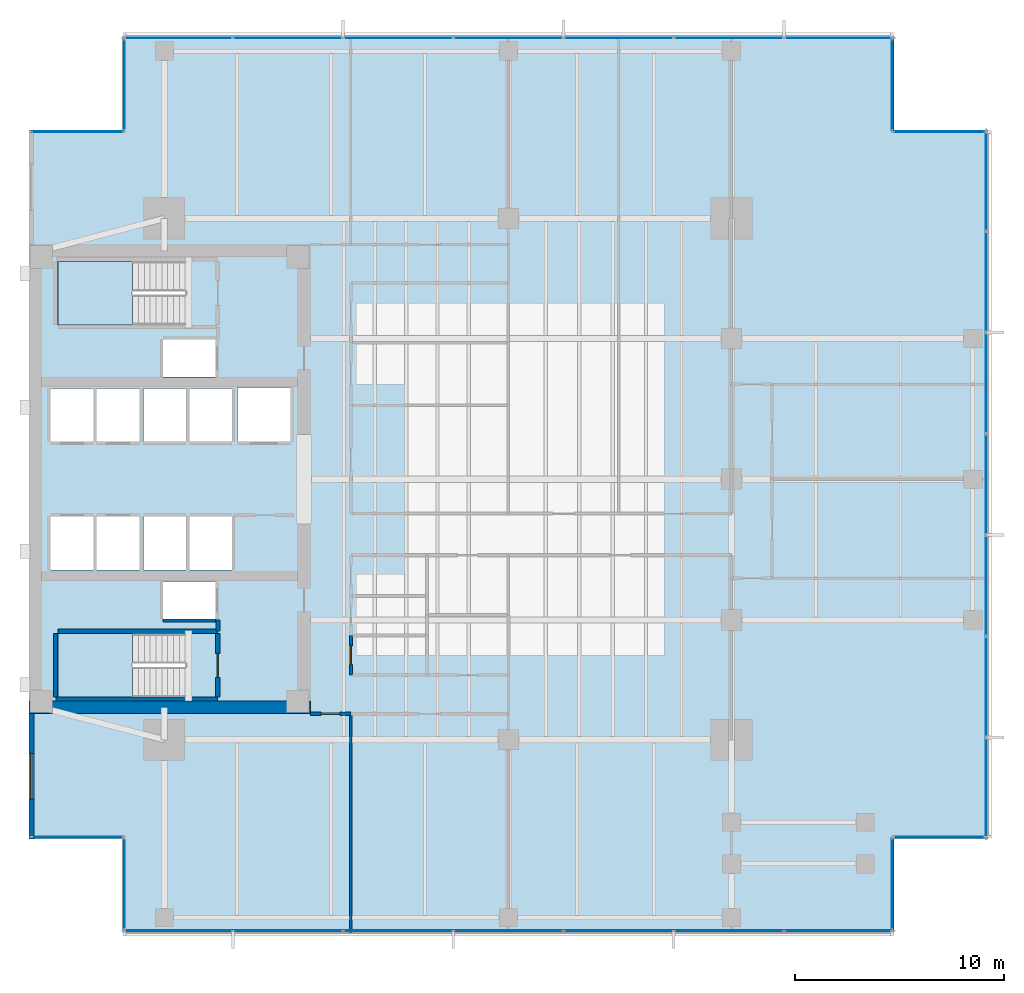
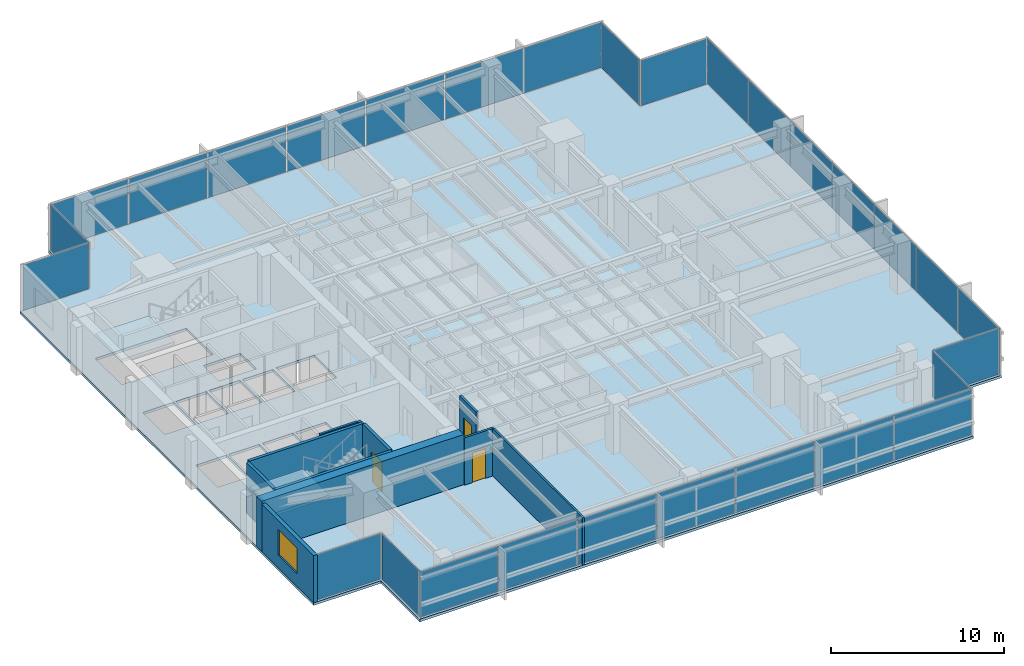
# One storey, part 8 of 15: 29 plates, 11 walls, 3 doors, 3 slabs, 1 window, 4 openings, 13 elements without a shape of their own.
"""IFC4 building model written with IfcOpenShell, lengths in metres."""

import ifcopenshell
import ifcopenshell.guid

model = None  # the IFC model being written
_history = None  # IfcOwnerHistory: only IFC2X3 demands one
_inside = {}  # id of a spatial element -> (the spatial element, [elements in it])
_under = {}  # id of a project, library or spatial element -> (it, [spatial elements below it])
_declared = {}  # id of a project -> (the project, [libraries it declares])
_typed = {}  # id of a type object -> (the type object, [elements of that type])
_made_of = {}  # id of a material, layer set ... -> (it, [elements and type objects made of it])


def new_model(schema):
    """Start an empty IFC model of exactly this schema.

    Asked for "IFC4X3", IfcOpenShell would pick the latest addendum, in which some entities
    have other attributes; the version numbers below select the first issue.
    IFC2X3 requires an IfcOwnerHistory on every rooted entity: one is made here for all.
    """
    global model, _history
    if schema == "IFC4X3":
        model = ifcopenshell.file(schema_version=(4, 3, 0, 0))
    else:
        model = ifcopenshell.file(schema=schema)
    _inside.clear()
    _under.clear()
    _declared.clear()
    _typed.clear()
    _made_of.clear()
    _history = None
    if model.schema == "IFC2X3":
        org = make("IfcOrganization", Name="unknown")
        user = make(
            "IfcPersonAndOrganization",
            ThePerson=make("IfcPerson", FamilyName="unknown"),
            TheOrganization=org,
        )
        app = make(
            "IfcApplication",
            ApplicationDeveloper=org,
            Version="unknown",
            ApplicationFullName="unknown",
            ApplicationIdentifier="unknown",
        )
        _history = make(
            "IfcOwnerHistory",
            OwningUser=user,
            OwningApplication=app,
            ChangeAction="ADDED",
            CreationDate=0,
        )
    return model


def make(cls, **values):
    """One entity of the class cls with the attributes given. An attribute that is None is left unset."""
    return model.create_entity(
        cls, **{name: value for name, value in values.items() if value is not None}
    )


def rooted(cls, **values):
    """An entity with a GlobalId (a new one), such as an element, a storey or a relation."""
    return make(cls, GlobalId=ifcopenshell.guid.new(), OwnerHistory=_history, **values)


def si_unit(unit_type, name, prefix=None):
    """IfcSIUnit, for example si_unit("LENGTHUNIT", "METRE", prefix="MILLI")."""
    return make("IfcSIUnit", UnitType=unit_type, Prefix=prefix, Name=name)


def assignment(units):
    """IfcUnitAssignment: the units of a project."""
    return None if units is None else make("IfcUnitAssignment", Units=units)


def point(xyz):
    """IfcCartesianPoint."""
    return None if xyz is None else make("IfcCartesianPoint", Coordinates=xyz)


def direction(xyz):
    """IfcDirection."""
    return None if xyz is None else make("IfcDirection", DirectionRatios=xyz)


def frame(location, z_axis=None, x_axis=None):
    """IfcAxis2Placement3D, a coordinate frame: its origin and axes. An axis left out is left unset."""
    return make(
        "IfcAxis2Placement3D",
        Location=point(location),
        Axis=direction(z_axis),
        RefDirection=direction(x_axis),
    )


def frame_2d(location, x_axis=None):
    """IfcAxis2Placement2D, a coordinate frame in the plane: its origin and x axis."""
    return make(
        "IfcAxis2Placement2D", Location=point(location), RefDirection=direction(x_axis)
    )


def origin():
    """The frame at (0, 0, 0) with its axes left unset."""
    return frame((0.0, 0.0, 0.0))


def origin_2d():
    """The frame at (0, 0) in the plane with its x axis left unset."""
    return frame_2d((0.0, 0.0))


def place(relative_to, where):
    """IfcLocalPlacement: puts the frame where relative to a parent placement (None: the world)."""
    return make(
        "IfcLocalPlacement", PlacementRelTo=relative_to, RelativePlacement=where
    )


def context(
    kind, dimensions, precision=None, world=None, true_north=None, identifier=None
):
    """IfcGeometricRepresentationContext, for example the 3D "Model" context."""
    return make(
        "IfcGeometricRepresentationContext",
        ContextIdentifier=identifier,
        ContextType=kind,
        CoordinateSpaceDimension=dimensions,
        Precision=precision,
        WorldCoordinateSystem=world,
        TrueNorth=true_north,
    )


def subcontext(parent, identifier, kind, view, scale=None):
    """IfcGeometricRepresentationSubContext, for example "Body" below "Model"."""
    return make(
        "IfcGeometricRepresentationSubContext",
        ContextIdentifier=identifier,
        ContextType=kind,
        ParentContext=parent,
        TargetScale=scale,
        TargetView=view,
    )


def project(units=None, contexts=None):
    """IfcProject with its units and contexts."""
    return rooted(
        "IfcProject",
        Name="project",
        RepresentationContexts=contexts,
        UnitsInContext=assignment(units),
    )


def spatial(cls, under=None, at=None, **own):
    """A site, building, storey or space (cls), placed at a placement, below another one or the project."""
    s = rooted(cls, ObjectPlacement=at, **own)
    if under is not None:
        _under.setdefault(under.id(), (under, []))[1].append(s)
    return s


def polyline(points):
    """IfcPolyline through the points."""
    return make("IfcPolyline", Points=[point(p) for p in points])


def profile(cls, at=None, kind="AREA", **sizes):
    """A parametric profile (cls). Its sizes go by their IFC names, for example OverallWidth=200.0."""
    return make(cls, ProfileType=kind, Position=at, **sizes)


def rectangle(**sizes):
    """IfcRectangleProfileDef."""
    return profile("IfcRectangleProfileDef", **sizes)


def outline(outer, holes=None, kind="AREA"):
    """IfcArbitraryClosedProfileDef: a profile drawn as a closed curve; with holes, ...WithVoids."""
    if holes is None:
        return make("IfcArbitraryClosedProfileDef", ProfileType=kind, OuterCurve=outer)
    return make(
        "IfcArbitraryProfileDefWithVoids",
        ProfileType=kind,
        OuterCurve=outer,
        InnerCurves=holes,
    )


def extrude(swept, where, along, depth):
    """IfcExtrudedAreaSolid: the profile swept, set in the frame where, extruded along a direction by depth."""
    return make(
        "IfcExtrudedAreaSolid",
        SweptArea=swept,
        Position=where,
        ExtrudedDirection=direction(along),
        Depth=depth,
    )


def shape(context_of_items, identifier, shape_type, items):
    """IfcShapeRepresentation: the items that make up one representation, for example the "Body"."""
    return make(
        "IfcShapeRepresentation",
        ContextOfItems=context_of_items,
        RepresentationIdentifier=identifier,
        RepresentationType=shape_type,
        Items=items,
    )


def material(Name=None, Category=None):
    """IfcMaterial."""
    return make("IfcMaterial", Name=Name, Category=Category)


def layer(
    of_material, thickness, ventilated=None, Name=None, Category=None, Priority=None
):
    """IfcMaterialLayer: one layer of a wall or slab, of a material (None: an air gap)."""
    return make(
        "IfcMaterialLayer",
        Material=of_material,
        LayerThickness=thickness,
        IsVentilated=ventilated,
        Name=Name,
        Category=Category,
        Priority=Priority,
    )


def layer_set(layers, Name=None):
    """IfcMaterialLayerSet."""
    return make("IfcMaterialLayerSet", MaterialLayers=layers, LayerSetName=Name)


def made_of(thing, what):
    """Note that an element or type object is made of a material, layer set ...; save() writes the relation."""
    if what is not None:
        _made_of.setdefault(what.id(), (what, []))[1].append(thing)
    return thing


def type_object(cls, material=None, **own):
    """A type object (cls), such as IfcWallType, which elements share."""
    return made_of(rooted(cls, **own), material)


def element(
    cls,
    number,
    at=None,
    inside=None,
    cuts=None,
    type_object=None,
    material=None,
    context=None,
    identifier="Body",
    shape_type=None,
    held_by="IfcProductDefinitionShape",
    body=None,
    shapes=None,
    **own,
):
    """One element of the class cls, such as IfcWall. Its Tag is "e" and its number.

    at: its placement. inside: the storey or other place that contains it. cuts: it is an
    opening in that element (IfcRelVoidsElement). A single representation is given by context,
    identifier, shape_type and body (its items); several are given by shapes. held_by: the class
    of the entity that holds the representations. save() writes the other relations.
    """
    e = rooted(cls, Tag="e%d" % number, ObjectPlacement=at, **own)
    if body is not None:
        shapes = [shape(context, identifier, shape_type, body)]
    if shapes is not None:
        e.Representation = make(held_by, Representations=shapes)
    if inside is not None:
        _inside.setdefault(inside.id(), (inside, []))[1].append(e)
    if cuts is not None:
        rooted(
            "IfcRelVoidsElement", RelatingBuildingElement=cuts, RelatedOpeningElement=e
        )
    if type_object is not None:
        _typed.setdefault(type_object.id(), (type_object, []))[1].append(e)
    return made_of(e, material)


def fill(opening, filler):
    """IfcRelFillsElement: the door or window that sits in an opening."""
    return rooted(
        "IfcRelFillsElement",
        RelatingOpeningElement=opening,
        RelatedBuildingElement=filler,
    )


def aggregate(whole, parts):
    """IfcRelAggregates: a whole, such as a stair, and the parts it consists of."""
    return rooted("IfcRelAggregates", RelatingObject=whole, RelatedObjects=parts)


def save(model, path):
    """Write the relations noted so far, then the file.

    IfcRelAggregates (storeys below a building ...), IfcRelContainedInSpatialStructure (elements
    in a storey), IfcRelDefinesByType, IfcRelAssociatesMaterial and IfcRelDeclares: one each for
    every whole, place, type object, material and project.
    """
    for whole, parts in _under.values():
        aggregate(whole, parts)
    for where, things in _inside.values():
        rooted(
            "IfcRelContainedInSpatialStructure",
            RelatedElements=things,
            RelatingStructure=where,
        )
    for kind, things in _typed.values():
        rooted("IfcRelDefinesByType", RelatedObjects=things, RelatingType=kind)
    for what, things in _made_of.values():
        rooted("IfcRelAssociatesMaterial", RelatedObjects=things, RelatingMaterial=what)
    for by, libraries in _declared.values():
        rooted("IfcRelDeclares", RelatingContext=by, RelatedDefinitions=libraries)
    model.write(path)


model = new_model("IFC4")

# Units and contexts
model_context = context("Model", 3, precision=1e-05, world=origin(), true_north=direction((0.0, 1.0)))
body_context = subcontext(model_context, "Body", "Model", "MODEL_VIEW")
ifc_project = project(units=[si_unit("LENGTHUNIT", "METRE"), si_unit("AREAUNIT", "SQUARE_METRE"), si_unit("VOLUMEUNIT", "CUBIC_METRE"), si_unit("PLANEANGLEUNIT", "RADIAN"), si_unit("MASSUNIT", "GRAM", prefix="KILO")], contexts=[model_context])

# Site, building, storey
site_placement = place(None, origin())
site = spatial("IfcSite", under=ifc_project, at=site_placement, CompositionType="ELEMENT")
building_placement = place(site_placement, origin())
building = spatial("IfcBuilding", under=site, at=building_placement, Name="Kinhvarn Gate Tower", CompositionType="ELEMENT")
storey_placement = place(building_placement, frame((0.0, 0.0, 169.699951171875)))
storey = spatial("IfcBuildingStorey", under=building, at=storey_placement, Name="L45", CompositionType="ELEMENT", Elevation=169.699951171875)

# Curtain wall, plates
ifc_material_1 = material(Name="Anodised aluminium AW-6063", Category="aluminium")
ifc_layer_1 = layer(ifc_material_1, 0.179931640625)
ifc_layer_set_1 = layer_set([ifc_layer_1], Name="Anodised aluminium AW-6063")
curtain_wall_type_1 = type_object("IfcCurtainWallType", Name="CW-SYS-3", PredefinedType="NOTDEFINED", material=ifc_layer_set_1)
curtain_wall_1_placement = place(storey_placement, origin())
curtain_wall_1 = element("IfcCurtainWall", 1, at=curtain_wall_1_placement, inside=storey, type_object=curtain_wall_type_1, Name="Curtain Wall CW3 (L45)", PredefinedType="NOTDEFINED")
ifc_material_2 = material(Name="Clear low-e double glazing", Category="glass")
ifc_layer_2 = layer(ifc_material_2, 0.031982421875)
ifc_layer_set_2 = layer_set([ifc_layer_2], Name="Clear low-e double glazing")
plate_type = type_object("IfcPlateType", Name="CW-PNL-VIS", PredefinedType="CURTAIN_PANEL", material=ifc_layer_set_2)
plate_1_placement = place(storey_placement, frame((11.6591796875, 3.590087890625, 0.070068359375), z_axis=(0.0, 0.0, 1.0), x_axis=(1.0, 0.0, 0.0)))
plate_1 = element("IfcPlate", 2, at=plate_1_placement, type_object=plate_type, Name="CW3 panel 1.1", PredefinedType="CURTAIN_PANEL", context=body_context, shape_type="SweptSolid", body=[
    extrude(rectangle(XDim=5.188232421875, YDim=0.031982421875, at=origin_2d()), origin(), (0.0, 0.0, 1.0), 3.2099609375),
])
plate_2_placement = place(storey_placement, frame((16.928466796875, 3.590087890625, 0.070068359375), z_axis=(0.0, 0.0, 1.0), x_axis=(1.0, 0.0, 0.0)))
plate_2 = element("IfcPlate", 3, at=plate_2_placement, type_object=plate_type, Name="CW3 panel 2.1", PredefinedType="CURTAIN_PANEL", context=body_context, shape_type="SweptSolid", body=[
    extrude(rectangle(XDim=5.220703125, YDim=0.031982421875, at=origin_2d()), origin(), (0.0, 0.0, 1.0), 3.2099609375),
])
plate_3_placement = place(storey_placement, frame((22.21435546875, 3.590087890625, 0.070068359375), z_axis=(0.0, 0.0, 1.0), x_axis=(1.0, 0.0, 0.0)))
plate_3 = element("IfcPlate", 4, at=plate_3_placement, type_object=plate_type, Name="CW3 panel 3.1", PredefinedType="CURTAIN_PANEL", context=body_context, shape_type="SweptSolid", body=[
    extrude(rectangle(XDim=5.220703125, YDim=0.031982421875, at=origin_2d()), origin(), (0.0, 0.0, 1.0), 3.2099609375),
])
plate_4_placement = place(storey_placement, frame((27.5, 3.590087890625, 0.070068359375), z_axis=(0.0, 0.0, 1.0), x_axis=(1.0, 0.0, 0.0)))
plate_4 = element("IfcPlate", 5, at=plate_4_placement, type_object=plate_type, Name="CW3 panel 4.1", PredefinedType="CURTAIN_PANEL", context=body_context, shape_type="SweptSolid", body=[
    extrude(rectangle(XDim=5.220703125, YDim=0.031982421875, at=origin_2d()), origin(), (0.0, 0.0, 1.0), 3.2099609375),
])
plate_5_placement = place(storey_placement, frame((32.78564453125, 3.590087890625, 0.070068359375), z_axis=(0.0, 0.0, 1.0), x_axis=(1.0, 0.0, 0.0)))
plate_5 = element("IfcPlate", 6, at=plate_5_placement, type_object=plate_type, Name="CW3 panel 5.1", PredefinedType="CURTAIN_PANEL", context=body_context, shape_type="SweptSolid", body=[
    extrude(rectangle(XDim=5.220703125, YDim=0.031982421875, at=origin_2d()), origin(), (0.0, 0.0, 1.0), 3.2099609375),
])
plate_6_placement = place(storey_placement, frame((38.071533203125, 3.590087890625, 0.070068359375), z_axis=(0.0, 0.0, 1.0), x_axis=(1.0, 0.0, 0.0)))
plate_6 = element("IfcPlate", 7, at=plate_6_placement, type_object=plate_type, Name="CW3 panel 6.1", PredefinedType="CURTAIN_PANEL", context=body_context, shape_type="SweptSolid", body=[
    extrude(rectangle(XDim=5.220703125, YDim=0.031982421875, at=origin_2d()), origin(), (0.0, 0.0, 1.0), 3.2099609375),
])
plate_7_placement = place(storey_placement, frame((43.3408203125, 3.590087890625, 0.070068359375), z_axis=(0.0, 0.0, 1.0), x_axis=(1.0, 0.0, 0.0)))
plate_7 = element("IfcPlate", 8, at=plate_7_placement, type_object=plate_type, Name="CW3 panel 7.1", PredefinedType="CURTAIN_PANEL", context=body_context, shape_type="SweptSolid", body=[
    extrude(rectangle(XDim=5.188232421875, YDim=0.031982421875, at=origin_2d()), origin(), (0.0, 0.0, 1.0), 3.2099609375),
])
aggregate(curtain_wall_1, [plate_1, plate_2, plate_3, plate_4, plate_5, plate_6, plate_7])

curtain_wall_2_placement = place(storey_placement, origin())
curtain_wall_2 = element("IfcCurtainWall", 9, at=curtain_wall_2_placement, inside=storey, type_object=curtain_wall_type_1, Name="Curtain Wall CW3 (L45)", PredefinedType="NOTDEFINED")
plate_8_placement = place(storey_placement, frame((43.3408203125, 46.409912109375, 0.070068359375), z_axis=(0.0, 0.0, 1.0), x_axis=(-1.0, 0.0, 0.0)))
plate_8 = element("IfcPlate", 10, at=plate_8_placement, type_object=plate_type, Name="CW3 panel 1.1", PredefinedType="CURTAIN_PANEL", context=body_context, shape_type="SweptSolid", body=[
    extrude(rectangle(XDim=5.188232421875, YDim=0.031982421875, at=origin_2d()), origin(), (0.0, 0.0, 1.0), 3.2099609375),
])
plate_9_placement = place(storey_placement, frame((38.071533203125, 46.409912109375, 0.070068359375), z_axis=(0.0, 0.0, 1.0), x_axis=(-1.0, 0.0, 0.0)))
plate_9 = element("IfcPlate", 11, at=plate_9_placement, type_object=plate_type, Name="CW3 panel 2.1", PredefinedType="CURTAIN_PANEL", context=body_context, shape_type="SweptSolid", body=[
    extrude(rectangle(XDim=5.220703125, YDim=0.031982421875, at=origin_2d()), origin(), (0.0, 0.0, 1.0), 3.2099609375),
])
plate_10_placement = place(storey_placement, frame((32.78564453125, 46.409912109375, 0.070068359375), z_axis=(0.0, 0.0, 1.0), x_axis=(-1.0, 0.0, 0.0)))
plate_10 = element("IfcPlate", 12, at=plate_10_placement, type_object=plate_type, Name="CW3 panel 3.1", PredefinedType="CURTAIN_PANEL", context=body_context, shape_type="SweptSolid", body=[
    extrude(rectangle(XDim=5.220703125, YDim=0.031982421875, at=origin_2d()), origin(), (0.0, 0.0, 1.0), 3.2099609375),
])
plate_11_placement = place(storey_placement, frame((27.5, 46.409912109375, 0.070068359375), z_axis=(0.0, 0.0, 1.0), x_axis=(-1.0, 0.0, 0.0)))
plate_11 = element("IfcPlate", 13, at=plate_11_placement, type_object=plate_type, Name="CW3 panel 4.1", PredefinedType="CURTAIN_PANEL", context=body_context, shape_type="SweptSolid", body=[
    extrude(rectangle(XDim=5.220703125, YDim=0.031982421875, at=origin_2d()), origin(), (0.0, 0.0, 1.0), 3.2099609375),
])
plate_12_placement = place(storey_placement, frame((22.21435546875, 46.409912109375, 0.070068359375), z_axis=(0.0, 0.0, 1.0), x_axis=(-1.0, 0.0, 0.0)))
plate_12 = element("IfcPlate", 14, at=plate_12_placement, type_object=plate_type, Name="CW3 panel 5.1", PredefinedType="CURTAIN_PANEL", context=body_context, shape_type="SweptSolid", body=[
    extrude(rectangle(XDim=5.220703125, YDim=0.031982421875, at=origin_2d()), origin(), (0.0, 0.0, 1.0), 3.2099609375),
])
plate_13_placement = place(storey_placement, frame((16.928466796875, 46.409912109375, 0.070068359375), z_axis=(0.0, 0.0, 1.0), x_axis=(-1.0, 0.0, 0.0)))
plate_13 = element("IfcPlate", 15, at=plate_13_placement, type_object=plate_type, Name="CW3 panel 6.1", PredefinedType="CURTAIN_PANEL", context=body_context, shape_type="SweptSolid", body=[
    extrude(rectangle(XDim=5.220703125, YDim=0.031982421875, at=origin_2d()), origin(), (0.0, 0.0, 1.0), 3.2099609375),
])
plate_14_placement = place(storey_placement, frame((11.6591796875, 46.409912109375, 0.070068359375), z_axis=(0.0, 0.0, 1.0), x_axis=(-1.0, 0.0, 0.0)))
plate_14 = element("IfcPlate", 16, at=plate_14_placement, type_object=plate_type, Name="CW3 panel 7.1", PredefinedType="CURTAIN_PANEL", context=body_context, shape_type="SweptSolid", body=[
    extrude(rectangle(XDim=5.188232421875, YDim=0.031982421875, at=origin_2d()), origin(), (0.0, 0.0, 1.0), 3.2099609375),
])
aggregate(curtain_wall_2, [plate_8, plate_9, plate_10, plate_11, plate_12, plate_13, plate_14])

curtain_wall_3_placement = place(storey_placement, origin())
curtain_wall_3 = element("IfcCurtainWall", 17, at=curtain_wall_3_placement, inside=storey, type_object=curtain_wall_type_1, Name="Curtain Wall CW3 (L45)", PredefinedType="NOTDEFINED")
plate_15_placement = place(storey_placement, frame((50.409912109375, 10.44482421875, 0.070068359375), z_axis=(0.0, 0.0, 1.0), x_axis=(0.0, 1.0, 0.0)))
plate_15 = element("IfcPlate", 18, at=plate_15_placement, type_object=plate_type, Name="CW3 panel 1.1", PredefinedType="CURTAIN_PANEL", context=body_context, shape_type="SweptSolid", body=[
    extrude(rectangle(XDim=4.759521484375, YDim=0.031982421875, at=origin_2d()), origin(), (0.0, 0.0, 1.0), 3.2099609375),
])
plate_16_placement = place(storey_placement, frame((50.409912109375, 15.28564453125, 0.070068359375), z_axis=(0.0, 0.0, 1.0), x_axis=(0.0, 1.0, 0.0)))
plate_16 = element("IfcPlate", 19, at=plate_16_placement, type_object=plate_type, Name="CW3 panel 2.1", PredefinedType="CURTAIN_PANEL", context=body_context, shape_type="SweptSolid", body=[
    extrude(rectangle(XDim=4.792236328125, YDim=0.031982421875, at=origin_2d()), origin(), (0.0, 0.0, 1.0), 3.2099609375),
])
plate_17_placement = place(storey_placement, frame((50.409912109375, 20.142822265625, 0.070068359375), z_axis=(0.0, 0.0, 1.0), x_axis=(0.0, 1.0, 0.0)))
plate_17 = element("IfcPlate", 20, at=plate_17_placement, type_object=plate_type, Name="CW3 panel 3.1", PredefinedType="CURTAIN_PANEL", context=body_context, shape_type="SweptSolid", body=[
    extrude(rectangle(XDim=4.792236328125, YDim=0.031982421875, at=origin_2d()), origin(), (0.0, 0.0, 1.0), 3.2099609375),
])
plate_18_placement = place(storey_placement, frame((50.409912109375, 25.0, 0.070068359375), z_axis=(0.0, 0.0, 1.0), x_axis=(0.0, 1.0, 0.0)))
plate_18 = element("IfcPlate", 21, at=plate_18_placement, type_object=plate_type, Name="CW3 panel 4.1", PredefinedType="CURTAIN_PANEL", context=body_context, shape_type="SweptSolid", body=[
    extrude(rectangle(XDim=4.792236328125, YDim=0.031982421875, at=origin_2d()), origin(), (0.0, 0.0, 1.0), 3.2099609375),
])
plate_19_placement = place(storey_placement, frame((50.409912109375, 29.857177734375, 0.070068359375), z_axis=(0.0, 0.0, 1.0), x_axis=(0.0, 1.0, 0.0)))
plate_19 = element("IfcPlate", 22, at=plate_19_placement, type_object=plate_type, Name="CW3 panel 5.1", PredefinedType="CURTAIN_PANEL", context=body_context, shape_type="SweptSolid", body=[
    extrude(rectangle(XDim=4.792236328125, YDim=0.031982421875, at=origin_2d()), origin(), (0.0, 0.0, 1.0), 3.2099609375),
])
plate_20_placement = place(storey_placement, frame((50.409912109375, 34.71435546875, 0.070068359375), z_axis=(0.0, 0.0, 1.0), x_axis=(0.0, 1.0, 0.0)))
plate_20 = element("IfcPlate", 23, at=plate_20_placement, type_object=plate_type, Name="CW3 panel 6.1", PredefinedType="CURTAIN_PANEL", context=body_context, shape_type="SweptSolid", body=[
    extrude(rectangle(XDim=4.792236328125, YDim=0.031982421875, at=origin_2d()), origin(), (0.0, 0.0, 1.0), 3.2099609375),
])
plate_21_placement = place(storey_placement, frame((50.409912109375, 39.55517578125, 0.070068359375), z_axis=(0.0, 0.0, 1.0), x_axis=(0.0, 1.0, 0.0)))
plate_21 = element("IfcPlate", 24, at=plate_21_placement, type_object=plate_type, Name="CW3 panel 7.1", PredefinedType="CURTAIN_PANEL", context=body_context, shape_type="SweptSolid", body=[
    extrude(rectangle(XDim=4.759521484375, YDim=0.031982421875, at=origin_2d()), origin(), (0.0, 0.0, 1.0), 3.2099609375),
])
aggregate(curtain_wall_3, [plate_15, plate_16, plate_17, plate_18, plate_19, plate_20, plate_21])

# Curtain wall, plate
ifc_layer_3 = layer(ifc_material_1, 0.179931640625)
ifc_layer_set_3 = layer_set([ifc_layer_3], Name="Anodised aluminium AW-6063")
curtain_wall_type_2 = type_object("IfcCurtainWallType", Name="CW-SYS-4", PredefinedType="NOTDEFINED", material=ifc_layer_set_3)
curtain_wall_4_placement = place(storey_placement, origin())
curtain_wall_4 = element("IfcCurtainWall", 25, at=curtain_wall_4_placement, inside=storey, type_object=curtain_wall_type_2, Name="Curtain Wall CW4 (L45)", PredefinedType="NOTDEFINED")
plate_22_placement = place(storey_placement, frame((6.840087890625, 8.090087890625, 0.06494140625), z_axis=(0.0, 0.0, 1.0), x_axis=(1.0, 0.0, 0.0)))
plate_22 = element("IfcPlate", 26, at=plate_22_placement, type_object=plate_type, Name="CW4 panel 1.1", PredefinedType="CURTAIN_PANEL", context=body_context, shape_type="SweptSolid", body=[
    extrude(rectangle(XDim=4.3701171875, YDim=0.031982421875, at=origin_2d()), origin(), (0.0, 0.0, 1.0), 3.219970703125),
])
aggregate(curtain_wall_4, [plate_22])

curtain_wall_5_placement = place(storey_placement, origin())
curtain_wall_5 = element("IfcCurtainWall", 27, at=curtain_wall_5_placement, inside=storey, type_object=curtain_wall_type_2, Name="Curtain Wall CW4 (L45)", PredefinedType="NOTDEFINED")
plate_23_placement = place(storey_placement, frame((9.090087890625, 5.840087890625, 0.06494140625), z_axis=(0.0, 0.0, 1.0), x_axis=(0.0, -1.0, 0.0)))
plate_23 = element("IfcPlate", 28, at=plate_23_placement, type_object=plate_type, Name="CW4 panel 1.1", PredefinedType="CURTAIN_PANEL", context=body_context, shape_type="SweptSolid", body=[
    extrude(rectangle(XDim=4.3701171875, YDim=0.031982421875, at=origin_2d()), origin(), (0.0, 0.0, 1.0), 3.219970703125),
])
aggregate(curtain_wall_5, [plate_23])

curtain_wall_6_placement = place(storey_placement, origin())
curtain_wall_6 = element("IfcCurtainWall", 29, at=curtain_wall_6_placement, inside=storey, type_object=curtain_wall_type_2, Name="Curtain Wall CW4 (L45)", PredefinedType="NOTDEFINED")
plate_24_placement = place(storey_placement, frame((45.909912109375, 5.840087890625, 0.06494140625), z_axis=(0.0, 0.0, 1.0), x_axis=(0.0, 1.0, 0.0)))
plate_24 = element("IfcPlate", 30, at=plate_24_placement, type_object=plate_type, Name="CW4 panel 1.1", PredefinedType="CURTAIN_PANEL", context=body_context, shape_type="SweptSolid", body=[
    extrude(rectangle(XDim=4.3701171875, YDim=0.031982421875, at=origin_2d()), origin(), (0.0, 0.0, 1.0), 3.219970703125),
])
aggregate(curtain_wall_6, [plate_24])

curtain_wall_7_placement = place(storey_placement, origin())
curtain_wall_7 = element("IfcCurtainWall", 31, at=curtain_wall_7_placement, inside=storey, type_object=curtain_wall_type_2, Name="Curtain Wall CW4 (L45)", PredefinedType="NOTDEFINED")
plate_25_placement = place(storey_placement, frame((48.159912109375, 8.090087890625, 0.06494140625), z_axis=(0.0, 0.0, 1.0), x_axis=(1.0, 0.0, 0.0)))
plate_25 = element("IfcPlate", 32, at=plate_25_placement, type_object=plate_type, Name="CW4 panel 1.1", PredefinedType="CURTAIN_PANEL", context=body_context, shape_type="SweptSolid", body=[
    extrude(rectangle(XDim=4.3701171875, YDim=0.031982421875, at=origin_2d()), origin(), (0.0, 0.0, 1.0), 3.219970703125),
])
aggregate(curtain_wall_7, [plate_25])

curtain_wall_8_placement = place(storey_placement, origin())
curtain_wall_8 = element("IfcCurtainWall", 33, at=curtain_wall_8_placement, inside=storey, type_object=curtain_wall_type_2, Name="Curtain Wall CW4 (L45)", PredefinedType="NOTDEFINED")
plate_26_placement = place(storey_placement, frame((48.159912109375, 41.909912109375, 0.06494140625), z_axis=(0.0, 0.0, 1.0), x_axis=(-1.0, 0.0, 0.0)))
plate_26 = element("IfcPlate", 34, at=plate_26_placement, type_object=plate_type, Name="CW4 panel 1.1", PredefinedType="CURTAIN_PANEL", context=body_context, shape_type="SweptSolid", body=[
    extrude(rectangle(XDim=4.3701171875, YDim=0.031982421875, at=origin_2d()), origin(), (0.0, 0.0, 1.0), 3.219970703125),
])
aggregate(curtain_wall_8, [plate_26])

curtain_wall_9_placement = place(storey_placement, origin())
curtain_wall_9 = element("IfcCurtainWall", 35, at=curtain_wall_9_placement, inside=storey, type_object=curtain_wall_type_2, Name="Curtain Wall CW4 (L45)", PredefinedType="NOTDEFINED")
plate_27_placement = place(storey_placement, frame((45.909912109375, 44.159912109375, 0.06494140625), z_axis=(0.0, 0.0, 1.0), x_axis=(0.0, 1.0, 0.0)))
plate_27 = element("IfcPlate", 36, at=plate_27_placement, type_object=plate_type, Name="CW4 panel 1.1", PredefinedType="CURTAIN_PANEL", context=body_context, shape_type="SweptSolid", body=[
    extrude(rectangle(XDim=4.3701171875, YDim=0.031982421875, at=origin_2d()), origin(), (0.0, 0.0, 1.0), 3.219970703125),
])
aggregate(curtain_wall_9, [plate_27])

curtain_wall_10_placement = place(storey_placement, origin())
curtain_wall_10 = element("IfcCurtainWall", 37, at=curtain_wall_10_placement, inside=storey, type_object=curtain_wall_type_2, Name="Curtain Wall CW4 (L45)", PredefinedType="NOTDEFINED")
plate_28_placement = place(storey_placement, frame((9.090087890625, 44.159912109375, 0.06494140625), z_axis=(0.0, 0.0, 1.0), x_axis=(0.0, -1.0, 0.0)))
plate_28 = element("IfcPlate", 38, at=plate_28_placement, type_object=plate_type, Name="CW4 panel 1.1", PredefinedType="CURTAIN_PANEL", context=body_context, shape_type="SweptSolid", body=[
    extrude(rectangle(XDim=4.3701171875, YDim=0.031982421875, at=origin_2d()), origin(), (0.0, 0.0, 1.0), 3.219970703125),
])
aggregate(curtain_wall_10, [plate_28])

curtain_wall_11_placement = place(storey_placement, origin())
curtain_wall_11 = element("IfcCurtainWall", 39, at=curtain_wall_11_placement, inside=storey, type_object=curtain_wall_type_2, Name="Curtain Wall CW4 (L45)", PredefinedType="NOTDEFINED")
plate_29_placement = place(storey_placement, frame((6.840087890625, 41.909912109375, 0.06494140625), z_axis=(0.0, 0.0, 1.0), x_axis=(-1.0, 0.0, 0.0)))
plate_29 = element("IfcPlate", 40, at=plate_29_placement, type_object=plate_type, Name="CW4 panel 1.1", PredefinedType="CURTAIN_PANEL", context=body_context, shape_type="SweptSolid", body=[
    extrude(rectangle(XDim=4.3701171875, YDim=0.031982421875, at=origin_2d()), origin(), (0.0, 0.0, 1.0), 3.219970703125),
])
aggregate(curtain_wall_11, [plate_29])

# Slab
ifc_material_3 = material(Name="Concrete C40/50", Category="concrete")
ifc_layer_4 = layer(ifc_material_3, 0.179931640625)
ifc_layer_set_4 = layer_set([ifc_layer_4], Name="Concrete C40/50")
slab_type_1 = type_object("IfcSlabType", Name="SLB-FLR-180", PredefinedType="FLOOR", material=ifc_layer_set_4)
slab_1_placement = place(storey_placement, frame((0.0, 0.0, -0.179931640625)))
element("IfcSlab", 41, at=slab_1_placement, inside=storey, type_object=slab_type_1, Name="Suspended Floor Slab L45", PredefinedType="FLOOR", context=body_context, shape_type="SweptSolid", body=[
    extrude(outline(polyline([(9.0, 3.5), (46.0, 3.5), (46.0, 8.0), (50.5, 8.0), (50.5, 42.0), (46.0, 42.0), (46.0, 46.5), (9.0, 46.5), (9.0, 42.0), (4.5, 42.0), (4.5, 8.0), (9.0, 8.0), (9.0, 3.5)]), holes=[polyline([(5.89990234375, 14.800048828125), (12.0, 14.800048828125), (12.0, 17.85009765625), (5.89990234375, 17.85009765625), (5.89990234375, 14.800048828125)]), polyline([(5.89990234375, 32.64990234375), (12.0, 32.64990234375), (12.0, 35.699951171875), (5.89990234375, 35.699951171875), (5.89990234375, 32.64990234375)]), polyline([(5.550048828125, 20.89990234375), (7.60009765625, 20.89990234375), (7.60009765625, 23.449951171875), (5.550048828125, 23.449951171875), (5.550048828125, 20.89990234375)]), polyline([(7.75, 20.89990234375), (9.800048828125, 20.89990234375), (9.800048828125, 23.449951171875), (7.75, 23.449951171875), (7.75, 20.89990234375)]), polyline([(5.550048828125, 27.050048828125), (7.60009765625, 27.050048828125), (7.60009765625, 29.60009765625), (5.550048828125, 29.60009765625), (5.550048828125, 27.050048828125)]), polyline([(7.75, 27.050048828125), (9.800048828125, 27.050048828125), (9.800048828125, 29.60009765625), (7.75, 29.60009765625), (7.75, 27.050048828125)]), polyline([(10.0, 20.89990234375), (12.050048828125, 20.89990234375), (12.050048828125, 23.449951171875), (10.0, 23.449951171875), (10.0, 20.89990234375)]), polyline([(12.199951171875, 20.89990234375), (14.25, 20.89990234375), (14.25, 23.449951171875), (12.199951171875, 23.449951171875), (12.199951171875, 20.89990234375)]), polyline([(10.0, 27.050048828125), (12.050048828125, 27.050048828125), (12.050048828125, 29.60009765625), (10.0, 29.60009765625), (10.0, 27.050048828125)]), polyline([(12.199951171875, 27.050048828125), (14.25, 27.050048828125), (14.25, 29.60009765625), (12.199951171875, 29.60009765625), (12.199951171875, 27.050048828125)]), polyline([(14.5, 27.050048828125), (17.050048828125, 27.050048828125), (17.050048828125, 29.64990234375), (14.5, 29.64990234375), (14.5, 27.050048828125)]), polyline([(10.949951171875, 18.550048828125), (13.449951171875, 18.550048828125), (13.449951171875, 20.35009765625), (10.949951171875, 20.35009765625), (10.949951171875, 18.550048828125)]), polyline([(10.949951171875, 30.14990234375), (13.449951171875, 30.14990234375), (13.449951171875, 31.949951171875), (10.949951171875, 31.949951171875), (10.949951171875, 30.14990234375)])]), origin(), (0.0, 0.0, 1.0), 0.179931640625),
])

# Stair, slab
stair_type = type_object("IfcStairType", Name="STR-DLG-178", PredefinedType="HALF_TURN_STAIR", material=ifc_material_3)
stair_1_placement = place(storey_placement, origin())
stair_1 = element("IfcStair", 42, at=stair_1_placement, inside=storey, type_object=stair_type, Name="L45 Core Smokeproof Exit Stair ST1", PredefinedType="HALF_TURN_STAIR")
ifc_layer_5 = layer(ifc_material_3, 0.199951171875)
ifc_layer_set_5 = layer_set([ifc_layer_5], Name="Concrete C40/50")
slab_type_2 = type_object("IfcSlabType", Name="SLB-ST-LND", PredefinedType="LANDING", material=ifc_layer_set_5)
slab_2_placement = place(storey_placement, frame((0.0, 0.0, 1.574951171875)))
slab_2 = element("IfcSlab", 43, at=slab_2_placement, type_object=slab_type_2, Name="ST1 landing 1", PredefinedType="LANDING", context=body_context, shape_type="SweptSolid", body=[
    extrude(outline(polyline([(9.47998046875, 17.85009765625), (5.89990234375, 17.85009765625), (5.89990234375, 14.800048828125), (9.47998046875, 14.800048828125), (9.47998046875, 17.85009765625)])), origin(), (0.0, 0.0, 1.0), 0.2001953125),
])
aggregate(stair_1, [slab_2])

stair_2_placement = place(storey_placement, origin())
stair_2 = element("IfcStair", 44, at=stair_2_placement, inside=storey, type_object=stair_type, Name="L45 Core Smokeproof Exit Stair ST2", PredefinedType="HALF_TURN_STAIR")
slab_3_placement = place(storey_placement, frame((0.0, 0.0, 1.574951171875)))
slab_3 = element("IfcSlab", 45, at=slab_3_placement, type_object=slab_type_2, Name="ST2 landing 1", PredefinedType="LANDING", context=body_context, shape_type="SweptSolid", body=[
    extrude(outline(polyline([(9.47998046875, 35.699951171875), (5.89990234375, 35.699951171875), (5.89990234375, 32.64990234375), (9.47998046875, 32.64990234375), (9.47998046875, 35.699951171875)])), origin(), (0.0, 0.0, 1.0), 0.2001953125),
])
aggregate(stair_2, [slab_3])

# Wall
ifc_material_4 = material(Name="Concrete C60/75", Category="concrete")
ifc_layer_6 = layer(ifc_material_4, 0.60009765625)
ifc_layer_set_6 = layer_set([ifc_layer_6], Name="Concrete C60/75")
wall_type_1 = type_object("IfcWallType", Name="WL-CORE-600", PredefinedType="SHEAR", material=ifc_layer_set_6)
wall_1_placement = place(storey_placement, frame((4.5, 14.300048828125, 0.0), z_axis=(0.0, 0.0, 1.0), x_axis=(1.0, 0.0, 0.0)))
element("IfcWall", 46, at=wall_1_placement, inside=storey, type_object=wall_type_1, Name="Core South Shear Wall L45 600 mm", PredefinedType="SHEAR", context=body_context, shape_type="SweptSolid", body=[
    extrude(rectangle(XDim=13.5, YDim=0.60009765625, at=frame_2d((6.75, 0.0))), origin(), (0.0, 0.0, 1.0), 3.550048828125),
])

# Wall, opening, window
ifc_material_5 = material(Name="Fired architectural terracotta", Category="masonry")
ifc_layer_7 = layer(ifc_material_5, 0.25)
ifc_layer_set_7 = layer_set([ifc_layer_7], Name="Fired architectural terracotta")
wall_type_2 = type_object("IfcWallType", Name="WL-EXT-250", PredefinedType="SOLIDWALL", material=ifc_layer_set_7)
wall_2_placement = place(storey_placement, frame((4.625, 14.0, 0.0), z_axis=(0.0, 0.0, 1.0), x_axis=(0.0, -1.0, 0.0)))
wall_2 = element("IfcWall", 47, at=wall_2_placement, inside=storey, type_object=wall_type_2, Name="Exterior Solidwall Wall EW-250 (L45 West-South)", PredefinedType="SOLIDWALL", context=body_context, shape_type="SweptSolid", body=[
    extrude(rectangle(XDim=6.0, YDim=0.25, at=frame_2d((3.0, 0.0))), origin(), (0.0, 0.0, 1.0), 3.35009765625),
])
opening_1_placement = place(wall_2_placement, frame((1.89990234375, 0.0, 0.89990234375)))
opening_1 = element("IfcOpeningElement", 48, at=opening_1_placement, cuts=wall_2, Name="Opening WN-01", PredefinedType="OPENING", context=body_context, shape_type="SweptSolid", body=[
    extrude(rectangle(XDim=2.199951171875, YDim=1.800048828125, at=frame_2d((1.10009765625, 0.89990234375))), frame((0.0, 0.135009765625, 0.0), z_axis=(0.0, -1.0, 0.0), x_axis=(1.0, 0.0, 0.0)), (0.0, 0.0, 1.0), 0.27001953125),
])
window_type = type_object("IfcWindowType", Name="WIN-RIB-2200", PartitioningType="SINGLE_PANEL", PredefinedType="WINDOW", material=ifc_material_2)
window_placement = place(opening_1_placement, origin())
window = element("IfcWindow", 49, at=window_placement, inside=storey, type_object=window_type, Name="West Flank Double-Glazed Ribbon Window 2200x1800 mm (L45)", OverallHeight=1.800048828125, OverallWidth=2.199951171875, PartitioningType="SINGLE_PANEL", PredefinedType="WINDOW", context=body_context, shape_type="SweptSolid", body=[
    extrude(rectangle(XDim=2.199951171875, YDim=1.800048828125, at=frame_2d((1.10009765625, 0.89990234375))), frame((0.0, 0.030029296875, 0.0), z_axis=(0.0, -1.0, 0.0), x_axis=(1.0, 0.0, 0.0)), (0.0, 0.0, 1.0), 0.06005859375),
])
fill(opening_1, window)

# Wall, opening, door
ifc_material_6 = material(Name="Gypsum acoustic partition board")
ifc_layer_8 = layer(ifc_material_6, 0.14990234375)
ifc_layer_set_8 = layer_set([ifc_layer_8], Name="Gypsum acoustic partition board")
wall_type_3 = type_object("IfcWallType", Name="WL-PLM-150F", PredefinedType="PLUMBINGWALL", material=ifc_layer_set_8)
wall_3_placement = place(storey_placement, frame((19.949951171875, 15.85009765625, 0.0), z_axis=(0.0, 0.0, 1.0), x_axis=(0.0, 1.0, 0.0)))
wall_3 = element("IfcWall", 50, at=wall_3_placement, inside=storey, type_object=wall_type_3, Name="Interior Partition PLW-150F (L45)", PredefinedType="PLUMBINGWALL", context=body_context, shape_type="SweptSolid", body=[
    extrude(rectangle(XDim=1.89990234375, YDim=0.14990234375, at=frame_2d((0.949951171875, 0.0))), origin(), (0.0, 0.0, 1.0), 3.35009765625),
])
opening_2_placement = place(wall_3_placement, frame((0.5, 0.0, 0.0)))
opening_2 = element("IfcOpeningElement", 51, at=opening_2_placement, cuts=wall_3, Name="Opening FD-04", PredefinedType="OPENING", context=body_context, shape_type="SweptSolid", body=[
    extrude(rectangle(XDim=0.89990234375, YDim=2.10009765625, at=frame_2d((0.449951171875, 1.050048828125))), frame((0.0, 0.0849609375, 0.0), z_axis=(0.0, -1.0, 0.0), x_axis=(1.0, 0.0, 0.0)), (0.0, 0.0, 1.0), 0.169921875),
])
door_type_1 = type_object("IfcDoorType", Name="DR-FD-900", OperationType="NOTDEFINED", PredefinedType="DOOR", material=ifc_material_1)
door_1_placement = place(opening_2_placement, origin())
door_1 = element("IfcDoor", 52, at=door_1_placement, inside=storey, type_object=door_type_1, Name="Rated Riser & Service Closet Fire Door 900x2100 mm (L45)", OperationType="SINGLE_SWING_LEFT", OverallHeight=2.10009765625, OverallWidth=0.89990234375, PredefinedType="DOOR", context=body_context, shape_type="SweptSolid", body=[
    extrude(rectangle(XDim=0.89990234375, YDim=2.10009765625, at=frame_2d((0.449951171875, 1.050048828125))), frame((0.0, 0.02490234375, 0.0), z_axis=(0.0, -1.0, 0.0), x_axis=(1.0, 0.0, 0.0)), (0.0, 0.0, 1.0), 0.050048828125),
])
fill(opening_2, door_1)

# Wall
ifc_layer_9 = layer(ifc_material_6, 0.1201171875)
ifc_layer_set_9 = layer_set([ifc_layer_9], Name="Gypsum acoustic partition board")
wall_type_4 = type_object("IfcWallType", Name="WL-PRT-120", PredefinedType="PARTITIONING", material=ifc_layer_set_9)
wall_4_placement = place(storey_placement, frame((19.949951171875, 3.510009765625, 0.0), z_axis=(0.0, 0.0, 1.0), x_axis=(0.0, 1.0, 0.0)))
element("IfcWall", 53, at=wall_4_placement, inside=storey, type_object=wall_type_4, Name="Interior Partition PW-120 (L45)", PredefinedType="PARTITIONING", context=body_context, shape_type="SweptSolid", body=[
    extrude(rectangle(XDim=10.489990234375, YDim=0.1201171875, at=frame_2d((5.2451171875, 0.0))), origin(), (0.0, 0.0, 1.0), 3.35009765625),
])

# Wall, opening, door
ifc_layer_10 = layer(ifc_material_6, 0.14990234375)
ifc_layer_set_10 = layer_set([ifc_layer_10], Name="Gypsum acoustic partition board")
wall_type_5 = type_object("IfcWallType", Name="WL-PRT-150F", PredefinedType="PARTITIONING", material=ifc_layer_set_10)
wall_5_placement = place(storey_placement, frame((18.0, 14.0, 0.0), z_axis=(0.0, 0.0, 1.0), x_axis=(1.0, 0.0, 0.0)))
wall_5 = element("IfcWall", 54, at=wall_5_placement, inside=storey, type_object=wall_type_5, Name="Interior Partition PW-150F (L45)", PredefinedType="PARTITIONING", context=body_context, shape_type="SweptSolid", body=[
    extrude(rectangle(XDim=1.949951171875, YDim=0.14990234375, at=frame_2d((0.97509765625, 0.0))), origin(), (0.0, 0.0, 1.0), 3.35009765625),
])
opening_3_placement = place(wall_5_placement, frame((0.52490234375, 0.0, 0.0)))
opening_3 = element("IfcOpeningElement", 55, at=opening_3_placement, cuts=wall_5, Name="Opening ID-03", PredefinedType="OPENING", context=body_context, shape_type="SweptSolid", body=[
    extrude(rectangle(XDim=0.89990234375, YDim=2.10009765625, at=frame_2d((0.449951171875, 1.050048828125))), frame((0.0, 0.0849609375, 0.0), z_axis=(0.0, -1.0, 0.0), x_axis=(1.0, 0.0, 0.0)), (0.0, 0.0, 1.0), 0.169921875),
])
door_type_2 = type_object("IfcDoorType", Name="DR-INT-900", OperationType="NOTDEFINED", PredefinedType="DOOR", material=ifc_material_1)
door_2_placement = place(opening_3_placement, origin())
door_2 = element("IfcDoor", 56, at=door_2_placement, inside=storey, type_object=door_type_2, Name="Cellular Office & Restroom Door 900x2100 mm (L45)", OperationType="SINGLE_SWING_LEFT", OverallHeight=2.10009765625, OverallWidth=0.89990234375, PredefinedType="DOOR", context=body_context, shape_type="SweptSolid", body=[
    extrude(rectangle(XDim=0.89990234375, YDim=2.10009765625, at=frame_2d((0.449951171875, 1.050048828125))), frame((0.0, 0.02490234375, 0.0), z_axis=(0.0, -1.0, 0.0), x_axis=(1.0, 0.0, 0.0)), (0.0, 0.0, 1.0), 0.050048828125),
])
fill(opening_3, door_2)

# Walls
ifc_layer_11 = layer(ifc_material_6, 0.199951171875)
ifc_layer_set_11 = layer_set([ifc_layer_11], Name="Gypsum acoustic partition board")
wall_type_6 = type_object("IfcWallType", Name="WL-PRT-200", PredefinedType="PARTITIONING", material=ifc_layer_set_11)
wall_6_placement = place(storey_placement, frame((13.580078125, 17.9599609375, 0.0), z_axis=(0.0, 0.0, 1.0), x_axis=(0.0, 1.0, 0.0)))
element("IfcWall", 57, at=wall_6_placement, inside=storey, type_object=wall_type_6, Name="Interior Partition PW-200 (L45)", PredefinedType="PARTITIONING", context=body_context, shape_type="SweptSolid", body=[
    extrude(rectangle(XDim=0.5400390625, YDim=0.199951171875, at=frame_2d((0.27001953125, 0.0))), origin(), (0.0, 0.0, 1.0), 3.35009765625),
])
ifc_layer_12 = layer(ifc_material_6, 0.14990234375)
ifc_layer_set_12 = layer_set([ifc_layer_12], Name="Gypsum acoustic partition board")
wall_type_7 = type_object("IfcWallType", Name="WL-SHF-150", PredefinedType="PARTITIONING", material=ifc_layer_set_12)
wall_7_placement = place(storey_placement, frame((10.949951171875, 18.47509765625, 0.0), z_axis=(0.0, 0.0, 1.0), x_axis=(1.0, 0.0, 0.0)))
element("IfcWall", 58, at=wall_7_placement, inside=storey, type_object=wall_type_7, Name="Elevator FF1 Hoistway Wall S (L45)", PredefinedType="PARTITIONING", context=body_context, shape_type="SweptSolid", body=[
    extrude(rectangle(XDim=2.5, YDim=0.14990234375, at=frame_2d((1.25, 0.0))), origin(), (0.0, 0.0, 1.0), 3.35009765625),
])
ifc_layer_13 = layer(ifc_material_3, 0.199951171875)
ifc_layer_set_13 = layer_set([ifc_layer_13], Name="Concrete C40/50")
wall_type_8 = type_object("IfcWallType", Name="WL-SHF-200", PredefinedType="SOLIDWALL", material=ifc_layer_set_13)
wall_8_placement = place(storey_placement, frame((5.800048828125, 14.699951171875, 0.0), z_axis=(0.0, 0.0, 1.0), x_axis=(1.0, 0.0, 0.0)))
element("IfcWall", 59, at=wall_8_placement, inside=storey, type_object=wall_type_8, Name="Stair ST1 South Shaft Wall (L45)", PredefinedType="SOLIDWALL", context=body_context, shape_type="SweptSolid", body=[
    extrude(rectangle(XDim=7.75, YDim=0.199951171875, at=frame_2d((3.875, 0.0))), origin(), (0.0, 0.0, 1.0), 3.550048828125),
])
wall_9_placement = place(storey_placement, frame((5.7900390625, 14.800048828125, 0.0), z_axis=(0.0, 0.0, 1.0), x_axis=(0.0, 1.0, 0.0)))
element("IfcWall", 60, at=wall_9_placement, inside=storey, type_object=wall_type_8, Name="Stair ST1 West Shaft Wall (L45)", PredefinedType="SOLIDWALL", context=body_context, shape_type="SweptSolid", body=[
    extrude(rectangle(XDim=3.050048828125, YDim=0.199951171875, at=frame_2d((1.52490234375, 0.0))), origin(), (0.0, 0.0, 1.0), 3.550048828125),
])
wall_10_placement = place(storey_placement, frame((5.89990234375, 17.9599609375, 0.0), z_axis=(0.0, 0.0, 1.0), x_axis=(1.0, 0.0, 0.0)))
element("IfcWall", 61, at=wall_10_placement, inside=storey, type_object=wall_type_8, Name="Stair ST1 North Shaft Wall (L45)", PredefinedType="SOLIDWALL", context=body_context, shape_type="SweptSolid", body=[
    extrude(rectangle(XDim=7.66015625, YDim=0.199951171875, at=frame_2d((3.830078125, 0.0))), origin(), (0.0, 0.0, 1.0), 3.550048828125),
])

# Wall, opening, door
wall_11_placement = place(storey_placement, frame((13.56005859375, 14.800048828125, 0.0), z_axis=(0.0, 0.0, 1.0), x_axis=(0.0, 1.0, 0.0)))
wall_11 = element("IfcWall", 62, at=wall_11_placement, inside=storey, type_object=wall_type_8, Name="Stair ST1 East Entry Wall (L45)", PredefinedType="SOLIDWALL", context=body_context, shape_type="SweptSolid", body=[
    extrude(rectangle(XDim=3.050048828125, YDim=0.199951171875, at=frame_2d((1.52490234375, 0.0))), origin(), (0.0, 0.0, 1.0), 3.550048828125),
])
opening_4_placement = place(wall_11_placement, frame((0.949951171875, 0.0, 0.0)))
opening_4 = element("IfcOpeningElement", 63, at=opening_4_placement, cuts=wall_11, Name="Opening FD-01", PredefinedType="OPENING", context=body_context, shape_type="SweptSolid", body=[
    extrude(rectangle(XDim=1.14990234375, YDim=2.14990234375, at=frame_2d((0.574951171875, 1.074951171875))), frame((0.0, 0.10986328125, 0.0), z_axis=(0.0, -1.0, 0.0), x_axis=(1.0, 0.0, 0.0)), (0.0, 0.0, 1.0), 0.219970703125),
])
door_type_3 = type_object("IfcDoorType", Name="DR-ST-1150", OperationType="NOTDEFINED", PredefinedType="DOOR", material=ifc_material_1)
door_3_placement = place(opening_4_placement, origin())
door_3 = element("IfcDoor", 64, at=door_3_placement, inside=storey, type_object=door_type_3, Name="Exit Stair ST1 Fire Door (L45)", OperationType="SINGLE_SWING_LEFT", OverallHeight=2.14990234375, OverallWidth=1.14990234375, PredefinedType="DOOR", context=body_context, shape_type="SweptSolid", body=[
    extrude(rectangle(XDim=1.14990234375, YDim=2.14990234375, at=frame_2d((0.574951171875, 1.074951171875))), frame((0.0, 0.02490234375, 0.0), z_axis=(0.0, -1.0, 0.0), x_axis=(1.0, 0.0, 0.0)), (0.0, 0.0, 1.0), 0.050048828125),
])
fill(opening_4, door_3)

save(model, "model.ifc")
